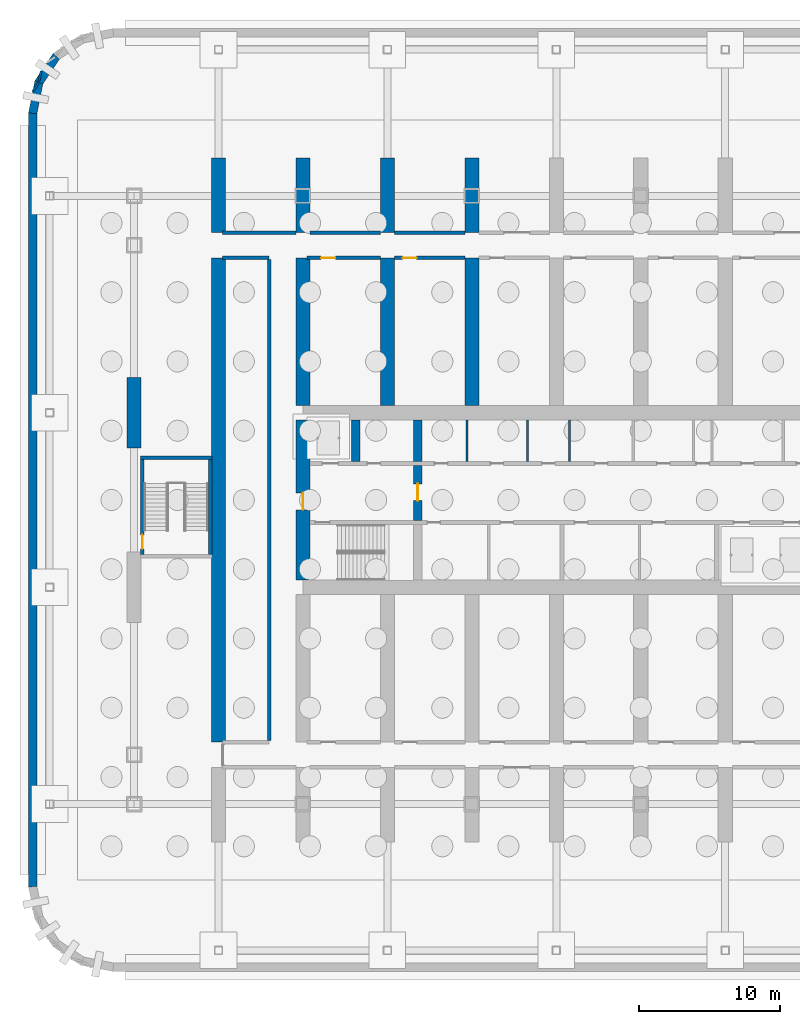
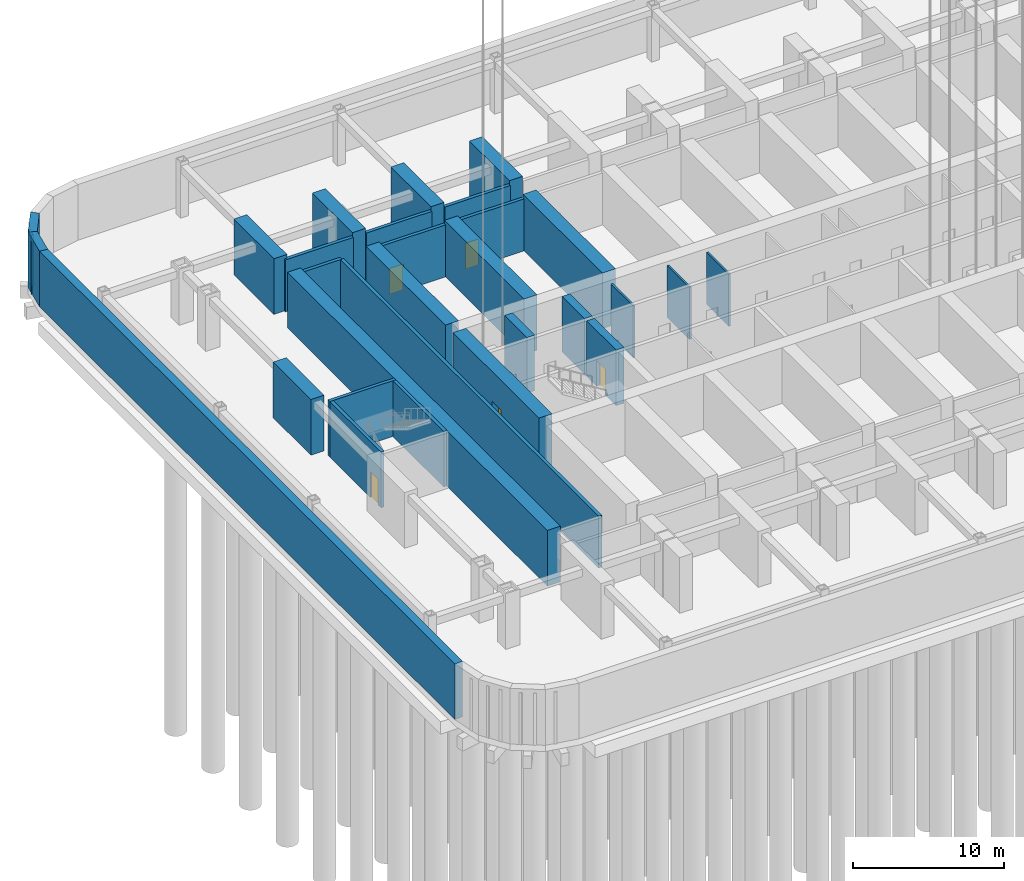
# One storey, part 5 of 28: 31 walls, 5 doors, 5 openings.
"""IFC4 building model written with IfcOpenShell, lengths in metres."""

import ifcopenshell
import ifcopenshell.guid

model = None  # the IFC model being written
_history = None  # IfcOwnerHistory: only IFC2X3 demands one
_inside = {}  # id of a spatial element -> (the spatial element, [elements in it])
_under = {}  # id of a project, library or spatial element -> (it, [spatial elements below it])
_declared = {}  # id of a project -> (the project, [libraries it declares])
_typed = {}  # id of a type object -> (the type object, [elements of that type])
_made_of = {}  # id of a material, layer set ... -> (it, [elements and type objects made of it])


def new_model(schema):
    """Start an empty IFC model of exactly this schema.

    Asked for "IFC4X3", IfcOpenShell would pick the latest addendum, in which some entities
    have other attributes; the version numbers below select the first issue.
    IFC2X3 requires an IfcOwnerHistory on every rooted entity: one is made here for all.
    """
    global model, _history
    if schema == "IFC4X3":
        model = ifcopenshell.file(schema_version=(4, 3, 0, 0))
    else:
        model = ifcopenshell.file(schema=schema)
    _inside.clear()
    _under.clear()
    _declared.clear()
    _typed.clear()
    _made_of.clear()
    _history = None
    if model.schema == "IFC2X3":
        org = make("IfcOrganization", Name="unknown")
        user = make(
            "IfcPersonAndOrganization",
            ThePerson=make("IfcPerson", FamilyName="unknown"),
            TheOrganization=org,
        )
        app = make(
            "IfcApplication",
            ApplicationDeveloper=org,
            Version="unknown",
            ApplicationFullName="unknown",
            ApplicationIdentifier="unknown",
        )
        _history = make(
            "IfcOwnerHistory",
            OwningUser=user,
            OwningApplication=app,
            ChangeAction="ADDED",
            CreationDate=0,
        )
    return model


def make(cls, **values):
    """One entity of the class cls with the attributes given. An attribute that is None is left unset."""
    return model.create_entity(
        cls, **{name: value for name, value in values.items() if value is not None}
    )


def rooted(cls, **values):
    """An entity with a GlobalId (a new one), such as an element, a storey or a relation."""
    return make(cls, GlobalId=ifcopenshell.guid.new(), OwnerHistory=_history, **values)


def si_unit(unit_type, name, prefix=None):
    """IfcSIUnit, for example si_unit("LENGTHUNIT", "METRE", prefix="MILLI")."""
    return make("IfcSIUnit", UnitType=unit_type, Prefix=prefix, Name=name)


def assignment(units):
    """IfcUnitAssignment: the units of a project."""
    return None if units is None else make("IfcUnitAssignment", Units=units)


def point(xyz):
    """IfcCartesianPoint."""
    return None if xyz is None else make("IfcCartesianPoint", Coordinates=xyz)


def direction(xyz):
    """IfcDirection."""
    return None if xyz is None else make("IfcDirection", DirectionRatios=xyz)


def frame(location, z_axis=None, x_axis=None):
    """IfcAxis2Placement3D, a coordinate frame: its origin and axes. An axis left out is left unset."""
    return make(
        "IfcAxis2Placement3D",
        Location=point(location),
        Axis=direction(z_axis),
        RefDirection=direction(x_axis),
    )


def frame_2d(location, x_axis=None):
    """IfcAxis2Placement2D, a coordinate frame in the plane: its origin and x axis."""
    return make(
        "IfcAxis2Placement2D", Location=point(location), RefDirection=direction(x_axis)
    )


def origin():
    """The frame at (0, 0, 0) with its axes left unset."""
    return frame((0.0, 0.0, 0.0))


def place(relative_to, where):
    """IfcLocalPlacement: puts the frame where relative to a parent placement (None: the world)."""
    return make(
        "IfcLocalPlacement", PlacementRelTo=relative_to, RelativePlacement=where
    )


def context(
    kind, dimensions, precision=None, world=None, true_north=None, identifier=None
):
    """IfcGeometricRepresentationContext, for example the 3D "Model" context."""
    return make(
        "IfcGeometricRepresentationContext",
        ContextIdentifier=identifier,
        ContextType=kind,
        CoordinateSpaceDimension=dimensions,
        Precision=precision,
        WorldCoordinateSystem=world,
        TrueNorth=true_north,
    )


def subcontext(parent, identifier, kind, view, scale=None):
    """IfcGeometricRepresentationSubContext, for example "Body" below "Model"."""
    return make(
        "IfcGeometricRepresentationSubContext",
        ContextIdentifier=identifier,
        ContextType=kind,
        ParentContext=parent,
        TargetScale=scale,
        TargetView=view,
    )


def project(units=None, contexts=None):
    """IfcProject with its units and contexts."""
    return rooted(
        "IfcProject",
        Name="project",
        RepresentationContexts=contexts,
        UnitsInContext=assignment(units),
    )


def spatial(cls, under=None, at=None, **own):
    """A site, building, storey or space (cls), placed at a placement, below another one or the project."""
    s = rooted(cls, ObjectPlacement=at, **own)
    if under is not None:
        _under.setdefault(under.id(), (under, []))[1].append(s)
    return s


def polyline(points):
    """IfcPolyline through the points."""
    return make("IfcPolyline", Points=[point(p) for p in points])


def profile(cls, at=None, kind="AREA", **sizes):
    """A parametric profile (cls). Its sizes go by their IFC names, for example OverallWidth=200.0."""
    return make(cls, ProfileType=kind, Position=at, **sizes)


def rectangle(**sizes):
    """IfcRectangleProfileDef."""
    return profile("IfcRectangleProfileDef", **sizes)


def outline(outer, holes=None, kind="AREA"):
    """IfcArbitraryClosedProfileDef: a profile drawn as a closed curve; with holes, ...WithVoids."""
    if holes is None:
        return make("IfcArbitraryClosedProfileDef", ProfileType=kind, OuterCurve=outer)
    return make(
        "IfcArbitraryProfileDefWithVoids",
        ProfileType=kind,
        OuterCurve=outer,
        InnerCurves=holes,
    )


def extrude(swept, where, along, depth):
    """IfcExtrudedAreaSolid: the profile swept, set in the frame where, extruded along a direction by depth."""
    return make(
        "IfcExtrudedAreaSolid",
        SweptArea=swept,
        Position=where,
        ExtrudedDirection=direction(along),
        Depth=depth,
    )


def shape(context_of_items, identifier, shape_type, items):
    """IfcShapeRepresentation: the items that make up one representation, for example the "Body"."""
    return make(
        "IfcShapeRepresentation",
        ContextOfItems=context_of_items,
        RepresentationIdentifier=identifier,
        RepresentationType=shape_type,
        Items=items,
    )


def material(Name=None, Category=None):
    """IfcMaterial."""
    return make("IfcMaterial", Name=Name, Category=Category)


def layer(
    of_material, thickness, ventilated=None, Name=None, Category=None, Priority=None
):
    """IfcMaterialLayer: one layer of a wall or slab, of a material (None: an air gap)."""
    return make(
        "IfcMaterialLayer",
        Material=of_material,
        LayerThickness=thickness,
        IsVentilated=ventilated,
        Name=Name,
        Category=Category,
        Priority=Priority,
    )


def layer_set(layers, Name=None):
    """IfcMaterialLayerSet."""
    return make("IfcMaterialLayerSet", MaterialLayers=layers, LayerSetName=Name)


def made_of(thing, what):
    """Note that an element or type object is made of a material, layer set ...; save() writes the relation."""
    if what is not None:
        _made_of.setdefault(what.id(), (what, []))[1].append(thing)
    return thing


def type_object(cls, material=None, **own):
    """A type object (cls), such as IfcWallType, which elements share."""
    return made_of(rooted(cls, **own), material)


def element(
    cls,
    number,
    at=None,
    inside=None,
    cuts=None,
    type_object=None,
    material=None,
    context=None,
    identifier="Body",
    shape_type=None,
    held_by="IfcProductDefinitionShape",
    body=None,
    shapes=None,
    **own,
):
    """One element of the class cls, such as IfcWall. Its Tag is "e" and its number.

    at: its placement. inside: the storey or other place that contains it. cuts: it is an
    opening in that element (IfcRelVoidsElement). A single representation is given by context,
    identifier, shape_type and body (its items); several are given by shapes. held_by: the class
    of the entity that holds the representations. save() writes the other relations.
    """
    e = rooted(cls, Tag="e%d" % number, ObjectPlacement=at, **own)
    if body is not None:
        shapes = [shape(context, identifier, shape_type, body)]
    if shapes is not None:
        e.Representation = make(held_by, Representations=shapes)
    if inside is not None:
        _inside.setdefault(inside.id(), (inside, []))[1].append(e)
    if cuts is not None:
        rooted(
            "IfcRelVoidsElement", RelatingBuildingElement=cuts, RelatedOpeningElement=e
        )
    if type_object is not None:
        _typed.setdefault(type_object.id(), (type_object, []))[1].append(e)
    return made_of(e, material)


def fill(opening, filler):
    """IfcRelFillsElement: the door or window that sits in an opening."""
    return rooted(
        "IfcRelFillsElement",
        RelatingOpeningElement=opening,
        RelatedBuildingElement=filler,
    )


def aggregate(whole, parts):
    """IfcRelAggregates: a whole, such as a stair, and the parts it consists of."""
    return rooted("IfcRelAggregates", RelatingObject=whole, RelatedObjects=parts)


def save(model, path):
    """Write the relations noted so far, then the file.

    IfcRelAggregates (storeys below a building ...), IfcRelContainedInSpatialStructure (elements
    in a storey), IfcRelDefinesByType, IfcRelAssociatesMaterial and IfcRelDeclares: one each for
    every whole, place, type object, material and project.
    """
    for whole, parts in _under.values():
        aggregate(whole, parts)
    for where, things in _inside.values():
        rooted(
            "IfcRelContainedInSpatialStructure",
            RelatedElements=things,
            RelatingStructure=where,
        )
    for kind, things in _typed.values():
        rooted("IfcRelDefinesByType", RelatedObjects=things, RelatingType=kind)
    for what, things in _made_of.values():
        rooted("IfcRelAssociatesMaterial", RelatedObjects=things, RelatingMaterial=what)
    for by, libraries in _declared.values():
        rooted("IfcRelDeclares", RelatingContext=by, RelatedDefinitions=libraries)
    model.write(path)


model = new_model("IFC4")

# Units and contexts
model_context = context("Model", 3, precision=1e-05, world=origin(), true_north=direction((0.0, 1.0)))
body_context = subcontext(model_context, "Body", "Model", "MODEL_VIEW")
ifc_project = project(units=[si_unit("LENGTHUNIT", "METRE"), si_unit("AREAUNIT", "SQUARE_METRE"), si_unit("VOLUMEUNIT", "CUBIC_METRE"), si_unit("PLANEANGLEUNIT", "RADIAN"), si_unit("MASSUNIT", "GRAM", prefix="KILO")], contexts=[model_context])

# Site, building, storey
site_placement = place(None, origin())
site = spatial("IfcSite", under=ifc_project, at=site_placement, CompositionType="ELEMENT")
building_placement = place(site_placement, origin())
building = spatial("IfcBuilding", under=site, at=building_placement, Name="Orbita Commons", CompositionType="ELEMENT")
storey_placement = place(building_placement, frame((0.0, 0.0, -9.0)))
storey = spatial("IfcBuildingStorey", under=building, at=storey_placement, Name="L-02", CompositionType="ELEMENT", Elevation=-9.0)

# Walls
ifc_material_1 = material(Name="Concrete blockwork", Category="masonry")
ifc_layer_1 = layer(ifc_material_1, 0.25)
ifc_layer_set_1 = layer_set([ifc_layer_1], Name="Concrete blockwork")
wall_type_1 = type_object("IfcWallType", Name="Basement wall 250 blockwork", PredefinedType="SOLIDWALL", material=ifc_layer_set_1)
wall_1_placement = place(storey_placement, frame((12.300048828125, 51.0, 0.0), z_axis=(0.0, 0.0, 1.0), x_axis=(1.0, 0.0, 0.0)))
element("IfcWall", 1, at=wall_1_placement, inside=storey, type_object=wall_type_1, Name="Basement wall 250 blockwork L-02", PredefinedType="SOLIDWALL", context=body_context, shape_type="SweptSolid", body=[
    extrude(rectangle(XDim=5.199951171875, YDim=0.25, at=frame_2d((2.60009765625, 0.0))), origin(), (0.0, 0.0, 1.0), 4.199951171875),
])
for number, where, z_axis, x_axis, name in (
    (2, (18.5, 51.0, 0.0), (0.0, 0.0, 1.0), (1.0, 0.0, 0.0), "Basement wall 250 blockwork L-02"),
    (3, (24.5, 51.0, 0.0), (0.0, 0.0, 1.0), (1.0, 0.0, 0.0), "Basement wall 250 blockwork L-02"),
):
    element("IfcWall", number, at=place(storey_placement, frame(where, z_axis=z_axis, x_axis=x_axis)), inside=storey, type_object=wall_type_1, Name=name, PredefinedType="SOLIDWALL", context=body_context, shape_type="SweptSolid", body=[
        extrude(rectangle(XDim=5.0, YDim=0.25, at=frame_2d((2.5, 0.0))), origin(), (0.0, 0.0, 1.0), 4.199951171875),
    ])
wall_2_placement = place(storey_placement, frame((12.300048828125, 49.199951171875, 0.0), z_axis=(0.0, 0.0, 1.0), x_axis=(1.0, 0.0, 0.0)))
element("IfcWall", 4, at=wall_2_placement, inside=storey, type_object=wall_type_1, Name="Basement wall 250 blockwork L-02", PredefinedType="SOLIDWALL", context=body_context, shape_type="SweptSolid", body=[
    extrude(rectangle(XDim=3.300048828125, YDim=0.25, at=frame_2d((1.64990234375, 0.0))), origin(), (0.0, 0.0, 1.0), 4.199951171875),
])
wall_3_placement = place(storey_placement, frame((15.60009765625, 14.89990234375, 0.0), z_axis=(0.0, 0.0, 1.0), x_axis=(0.0, 1.0, 0.0)))
element("IfcWall", 5, at=wall_3_placement, inside=storey, type_object=wall_type_1, Name="Basement wall 250 blockwork L-02", PredefinedType="SOLIDWALL", context=body_context, shape_type="SweptSolid", body=[
    extrude(rectangle(XDim=34.2001953125, YDim=0.25, at=frame_2d((17.10009765625, 0.0))), origin(), (0.0, 0.0, 1.0), 4.199951171875),
])

# Wall, opening, door
wall_4_placement = place(storey_placement, frame((18.300048828125, 49.199951171875, 0.0), z_axis=(0.0, 0.0, 1.0), x_axis=(1.0, 0.0, 0.0)))
wall_4 = element("IfcWall", 6, at=wall_4_placement, inside=storey, type_object=wall_type_1, Name="Basement wall 250 blockwork L-02", PredefinedType="SOLIDWALL", context=body_context, shape_type="SweptSolid", body=[
    extrude(rectangle(XDim=5.199951171875, YDim=0.25, at=frame_2d((2.60009765625, 0.0))), origin(), (0.0, 0.0, 1.0), 4.199951171875),
])
opening_1_placement = place(wall_4_placement, frame((1.0, 0.0, 0.0)))
opening_1 = element("IfcOpeningElement", 7, at=opening_1_placement, cuts=wall_4, Name="Opening D06", PredefinedType="OPENING", context=body_context, shape_type="SweptSolid", body=[
    extrude(rectangle(XDim=1.0, YDim=2.10009765625, at=frame_2d((0.5, 1.050048828125))), frame((0.0, 0.135009765625, 0.0), z_axis=(0.0, -1.0, 0.0), x_axis=(1.0, 0.0, 0.0)), (0.0, 0.0, 1.0), 0.27001953125),
])
ifc_material_2 = material(Name="Steel-faced fire door leaf", Category="steel")
door_type_1 = type_object("IfcDoorType", Name="Corridor door 20 min 1000x2100", OperationType="SINGLE_SWING_LEFT", PredefinedType="DOOR", material=ifc_material_2)
door_1_placement = place(opening_1_placement, origin())
door_1 = element("IfcDoor", 8, at=door_1_placement, inside=storey, type_object=door_type_1, Name="Room door", OperationType="SINGLE_SWING_LEFT", OverallHeight=2.10009765625, OverallWidth=1.0, PredefinedType="DOOR", context=body_context, shape_type="SweptSolid", body=[
    extrude(rectangle(XDim=1.0, YDim=2.10009765625, at=frame_2d((0.5, 1.050048828125))), frame((0.0, 0.02490234375, 0.0), z_axis=(0.0, -1.0, 0.0), x_axis=(1.0, 0.0, 0.0)), (0.0, 0.0, 1.0), 0.050048828125),
])
fill(opening_1, door_1)

wall_5_placement = place(storey_placement, frame((24.5, 49.199951171875, 0.0), z_axis=(0.0, 0.0, 1.0), x_axis=(1.0, 0.0, 0.0)))
wall_5 = element("IfcWall", 9, at=wall_5_placement, inside=storey, type_object=wall_type_1, Name="Basement wall 250 blockwork L-02", PredefinedType="SOLIDWALL", context=body_context, shape_type="SweptSolid", body=[
    extrude(rectangle(XDim=5.0, YDim=0.25, at=frame_2d((2.5, 0.0))), origin(), (0.0, 0.0, 1.0), 4.199951171875),
])
opening_2_placement = place(wall_5_placement, frame((0.574951171875, 0.0, 0.0)))
opening_2 = element("IfcOpeningElement", 10, at=opening_2_placement, cuts=wall_5, Name="Opening D06", PredefinedType="OPENING", context=body_context, shape_type="SweptSolid", body=[
    extrude(rectangle(XDim=1.0, YDim=2.10009765625, at=frame_2d((0.5, 1.050048828125))), frame((0.0, 0.135009765625, 0.0), z_axis=(0.0, -1.0, 0.0), x_axis=(1.0, 0.0, 0.0)), (0.0, 0.0, 1.0), 0.27001953125),
])
door_2_placement = place(opening_2_placement, origin())
door_2 = element("IfcDoor", 11, at=door_2_placement, inside=storey, type_object=door_type_1, Name="Room door", OperationType="SINGLE_SWING_LEFT", OverallHeight=2.10009765625, OverallWidth=1.0, PredefinedType="DOOR", context=body_context, shape_type="SweptSolid", body=[
    extrude(rectangle(XDim=1.0, YDim=2.10009765625, at=frame_2d((0.5, 1.050048828125))), frame((0.0, 0.02490234375, 0.0), z_axis=(0.0, -1.0, 0.0), x_axis=(1.0, 0.0, 0.0)), (0.0, 0.0, 1.0), 0.050048828125),
])
fill(opening_2, door_2)

ifc_material_3 = material(Name="Concrete C50/60", Category="concrete")
ifc_layer_2 = layer(ifc_material_3, 0.60009765625)
ifc_layer_set_2 = layer_set([ifc_layer_2], Name="Concrete C50/60")
wall_type_2 = type_object("IfcWallType", Name="Core inner wall 600 C50/60", PredefinedType="SHEAR", material=ifc_layer_set_2)
wall_6_placement = place(storey_placement, frame((26.14990234375, 30.550048828125, 0.0), z_axis=(0.0, 0.0, 1.0), x_axis=(0.0, 1.0, 0.0)))
wall_6 = element("IfcWall", 12, at=wall_6_placement, inside=storey, type_object=wall_type_2, Name="Firefighting lobby wall west L-02", PredefinedType="SHEAR", context=body_context, shape_type="SweptSolid", body=[
    extrude(rectangle(XDim=3.89990234375, YDim=0.60009765625, at=frame_2d((1.949951171875, 0.0))), origin(), (0.0, 0.0, 1.0), 4.5),
])
opening_3_placement = place(wall_6_placement, frame((1.39990234375, 0.0, 0.0)))
opening_3 = element("IfcOpeningElement", 13, at=opening_3_placement, cuts=wall_6, Name="Opening D04", PredefinedType="OPENING", context=body_context, shape_type="SweptSolid", body=[
    extrude(rectangle(XDim=1.199951171875, YDim=2.10009765625, at=frame_2d((0.60009765625, 1.050048828125))), frame((0.0, 0.31005859375, 0.0), z_axis=(0.0, -1.0, 0.0), x_axis=(1.0, 0.0, 0.0)), (0.0, 0.0, 1.0), 0.6201171875),
])
ifc_material_4 = material(Name="Steel-faced fire door leaf", Category="steel")
door_type_2 = type_object("IfcDoorType", Name="Service door 20 min 1200x2100", OperationType="SINGLE_SWING_LEFT", PredefinedType="DOOR", material=ifc_material_4)
door_3_placement = place(opening_3_placement, origin())
door_3 = element("IfcDoor", 14, at=door_3_placement, inside=storey, type_object=door_type_2, Name="Lift lobby door west", OperationType="SINGLE_SWING_LEFT", OverallHeight=2.10009765625, OverallWidth=1.199951171875, PredefinedType="DOOR", context=body_context, shape_type="SweptSolid", body=[
    extrude(rectangle(XDim=1.199951171875, YDim=2.10009765625, at=frame_2d((0.60009765625, 1.050048828125))), frame((0.0, 0.02490234375, 0.0), z_axis=(0.0, -1.0, 0.0), x_axis=(1.0, 0.0, 0.0)), (0.0, 0.0, 1.0), 0.050048828125),
])
fill(opening_3, door_3)

# Walls
for number, where, z_axis, x_axis, name in (
    (15, (21.75, 34.75, 0.0), (0.0, 0.0, 1.0), (0.0, 1.0, 0.0), "Firefighting lift FL1 shaft wall L-02"),
    (16, (26.14990234375, 34.75, 0.0), (0.0, 0.0, 1.0), (0.0, 1.0, 0.0), "Riser wall west L-02"),
):
    element("IfcWall", number, at=place(storey_placement, frame(where, z_axis=z_axis, x_axis=x_axis)), inside=storey, type_object=wall_type_2, Name=name, PredefinedType="SHEAR", context=body_context, shape_type="SweptSolid", body=[
        extrude(rectangle(XDim=2.949951171875, YDim=0.60009765625, at=frame_2d((1.47509765625, 0.0))), origin(), (0.0, 0.0, 1.0), 4.5),
    ])
ifc_material_5 = material(Name="Concrete blockwork", Category="masonry")
ifc_layer_3 = layer(ifc_material_5, 0.14990234375)
ifc_layer_set_3 = layer_set([ifc_layer_3], Name="Concrete blockwork")
wall_type_3 = type_object("IfcWallType", Name="Core partition 150 blockwork", PredefinedType="SOLIDWALL", material=ifc_layer_set_3)
for number, where, z_axis, x_axis, name in (
    (17, (29.65087890625, 34.75, 0.0), (0.0, 0.0, 1.0), (0.0, 1.0, 0.0), "Core partition 150 blockwork L-02"),
    (18, (33.9462890625, 34.75, 0.0), (0.0, 0.0, 1.0), (0.0, 1.0, 0.0), "Core partition 150 blockwork L-02"),
    (19, (36.9462890625, 34.75, 0.0), (0.0, 0.0, 1.0), (0.0, 1.0, 0.0), "Core partition 150 blockwork L-02"),
):
    element("IfcWall", number, at=place(storey_placement, frame(where, z_axis=z_axis, x_axis=x_axis)), inside=storey, type_object=wall_type_3, Name=name, PredefinedType="SOLIDWALL", context=body_context, shape_type="SweptSolid", body=[
        extrude(rectangle(XDim=2.949951171875, YDim=0.14990234375, at=frame_2d((1.47509765625, 0.0))), origin(), (0.0, 0.0, 1.0), 4.199951171875),
    ])

# Wall, opening, door
ifc_material_6 = material(Name="Concrete C50/60", Category="concrete")
ifc_layer_4 = layer(ifc_material_6, 1.0)
ifc_layer_set_4 = layer_set([ifc_layer_4], Name="Concrete C50/60")
wall_type_4 = type_object("IfcWallType", Name="Core wall 1000 C50/60", PredefinedType="SHEAR", material=ifc_layer_set_4)
wall_7_placement = place(storey_placement, frame((18.0, 26.300048828125, 0.0), z_axis=(0.0, 0.0, 1.0), x_axis=(0.0, 1.0, 0.0)))
wall_7 = element("IfcWall", 20, at=wall_7_placement, inside=storey, type_object=wall_type_4, Name="Core end wall west L-02", PredefinedType="SHEAR", context=body_context, shape_type="SweptSolid", body=[
    extrude(rectangle(XDim=11.39990234375, YDim=1.0, at=frame_2d((5.699951171875, 0.0))), origin(), (0.0, 0.0, 1.0), 4.5),
])
opening_4_placement = place(wall_7_placement, frame((5.0, 0.0, 0.0)))
opening_4 = element("IfcOpeningElement", 21, at=opening_4_placement, cuts=wall_7, Name="Opening D01", PredefinedType="OPENING", context=body_context, shape_type="SweptSolid", body=[
    extrude(rectangle(XDim=1.199951171875, YDim=2.10009765625, at=frame_2d((0.60009765625, 1.050048828125))), frame((0.0, 0.510009765625, 0.0), z_axis=(0.0, -1.0, 0.0), x_axis=(1.0, 0.0, 0.0)), (0.0, 0.0, 1.0), 1.02001953125),
])
ifc_material_7 = material(Name="Steel-faced fire door leaf", Category="steel")
door_type_3 = type_object("IfcDoorType", Name="Fire door 90 min 1200x2100", OperationType="SINGLE_SWING_LEFT", PredefinedType="DOOR", material=ifc_material_7)
door_4_placement = place(opening_4_placement, origin())
door_4 = element("IfcDoor", 22, at=door_4_placement, inside=storey, type_object=door_type_3, Name="Firefighting lobby west door", OperationType="SINGLE_SWING_LEFT", OverallHeight=2.10009765625, OverallWidth=1.199951171875, PredefinedType="DOOR", context=body_context, shape_type="SweptSolid", body=[
    extrude(rectangle(XDim=1.199951171875, YDim=2.10009765625, at=frame_2d((0.60009765625, 1.050048828125))), frame((0.0, 0.02490234375, 0.0), z_axis=(0.0, -1.0, 0.0), x_axis=(1.0, 0.0, 0.0)), (0.0, 0.0, 1.0), 0.050048828125),
])
fill(opening_4, door_4)

# Walls
ifc_material_8 = material(Name="Concrete C50/60", Category="concrete")
ifc_layer_5 = layer(ifc_material_8, 1.0)
ifc_layer_set_5 = layer_set([ifc_layer_5], Name="Concrete C50/60")
wall_type_5 = type_object("IfcWallType", Name="Cross wall 1000 C50/60", PredefinedType="SHEAR", material=ifc_layer_set_5)
wall_8_placement = place(storey_placement, frame((12.0, 51.0, 0.0), z_axis=(0.0, 0.0, 1.0), x_axis=(0.0, 1.0, 0.0)))
element("IfcWall", 23, at=wall_8_placement, inside=storey, type_object=wall_type_5, Name="Cross wall 3 north outer L-02", PredefinedType="SHEAR", context=body_context, shape_type="SweptSolid", body=[
    extrude(rectangle(XDim=5.300048828125, YDim=1.0, at=frame_2d((2.64990234375, 0.0))), origin(), (0.0, 0.0, 1.0), 4.5),
])
wall_9_placement = place(storey_placement, frame((12.0, 14.800048828125, 0.0), z_axis=(0.0, 0.0, 1.0), x_axis=(0.0, 1.0, 0.0)))
element("IfcWall", 24, at=wall_9_placement, inside=storey, type_object=wall_type_5, Name="Cross wall 3 inner L-02", PredefinedType="SHEAR", context=body_context, shape_type="SweptSolid", body=[
    extrude(rectangle(XDim=34.39990234375, YDim=1.0, at=frame_2d((17.199951171875, 0.0))), origin(), (0.0, 0.0, 1.0), 4.5),
])
wall_10_placement = place(storey_placement, frame((18.0, 51.0, 0.0), z_axis=(0.0, 0.0, 1.0), x_axis=(0.0, 1.0, 0.0)))
element("IfcWall", 25, at=wall_10_placement, inside=storey, type_object=wall_type_5, Name="Cross wall 4 north outer L-02", PredefinedType="SHEAR", context=body_context, shape_type="SweptSolid", body=[
    extrude(rectangle(XDim=5.300048828125, YDim=1.0, at=frame_2d((2.64990234375, 0.0))), origin(), (0.0, 0.0, 1.0), 4.5),
])
wall_11_placement = place(storey_placement, frame((18.0, 38.699951171875, 0.0), z_axis=(0.0, 0.0, 1.0), x_axis=(0.0, 1.0, 0.0)))
element("IfcWall", 26, at=wall_11_placement, inside=storey, type_object=wall_type_5, Name="Cross wall 4 north inner L-02", PredefinedType="SHEAR", context=body_context, shape_type="SweptSolid", body=[
    extrude(rectangle(XDim=10.5, YDim=1.0, at=frame_2d((5.25, 0.0))), origin(), (0.0, 0.0, 1.0), 4.5),
])
wall_12_placement = place(storey_placement, frame((24.0, 51.0, 0.0), z_axis=(0.0, 0.0, 1.0), x_axis=(0.0, 1.0, 0.0)))
element("IfcWall", 27, at=wall_12_placement, inside=storey, type_object=wall_type_5, Name="Cross wall 5 north outer L-02", PredefinedType="SHEAR", context=body_context, shape_type="SweptSolid", body=[
    extrude(rectangle(XDim=5.300048828125, YDim=1.0, at=frame_2d((2.64990234375, 0.0))), origin(), (0.0, 0.0, 1.0), 4.5),
])
wall_13_placement = place(storey_placement, frame((24.0, 38.699951171875, 0.0), z_axis=(0.0, 0.0, 1.0), x_axis=(0.0, 1.0, 0.0)))
element("IfcWall", 28, at=wall_13_placement, inside=storey, type_object=wall_type_5, Name="Cross wall 5 north inner L-02", PredefinedType="SHEAR", context=body_context, shape_type="SweptSolid", body=[
    extrude(rectangle(XDim=10.5, YDim=1.0, at=frame_2d((5.25, 0.0))), origin(), (0.0, 0.0, 1.0), 4.5),
])
wall_14_placement = place(storey_placement, frame((30.0, 51.0, 0.0), z_axis=(0.0, 0.0, 1.0), x_axis=(0.0, 1.0, 0.0)))
element("IfcWall", 29, at=wall_14_placement, inside=storey, type_object=wall_type_5, Name="Cross wall 6 north outer L-02", PredefinedType="SHEAR", context=body_context, shape_type="SweptSolid", body=[
    extrude(rectangle(XDim=5.300048828125, YDim=1.0, at=frame_2d((2.64990234375, 0.0))), origin(), (0.0, 0.0, 1.0), 4.5),
])
wall_15_placement = place(storey_placement, frame((30.0, 38.699951171875, 0.0), z_axis=(0.0, 0.0, 1.0), x_axis=(0.0, 1.0, 0.0)))
element("IfcWall", 30, at=wall_15_placement, inside=storey, type_object=wall_type_5, Name="Cross wall 6 north inner L-02", PredefinedType="SHEAR", context=body_context, shape_type="SweptSolid", body=[
    extrude(rectangle(XDim=10.5, YDim=1.0, at=frame_2d((5.25, 0.0))), origin(), (0.0, 0.0, 1.0), 4.5),
])
ifc_material_9 = material(Name="Concrete C50/60", Category="concrete")
ifc_layer_6 = layer(ifc_material_9, 1.0)
ifc_layer_set_6 = layer_set([ifc_layer_6], Name="Concrete C50/60")
wall_type_6 = type_object("IfcWallType", Name="End pier 1000x5000 C50/60", PredefinedType="SHEAR", material=ifc_layer_set_6)
wall_16_placement = place(storey_placement, frame((6.0, 35.699951171875, 0.0), z_axis=(0.0, 0.0, 1.0), x_axis=(0.0, 1.0, 0.0)))
element("IfcWall", 31, at=wall_16_placement, inside=storey, type_object=wall_type_6, Name="End pier 2/D L-02", PredefinedType="SHEAR", context=body_context, shape_type="SweptSolid", body=[
    extrude(rectangle(XDim=5.0, YDim=1.0, at=frame_2d((2.5, 0.0))), origin(), (0.0, 0.0, 1.0), 4.5),
])
ifc_material_10 = material(Name="Gypsum plasterboard on steel studs", Category="steel")
ifc_layer_7 = layer(ifc_material_10, 0.14990234375)
ifc_layer_set_7 = layer_set([ifc_layer_7], Name="Gypsum plasterboard on steel studs")
wall_type_7 = type_object("IfcWallType", Name="Partition 150 plasterboard", PredefinedType="PARTITIONING", material=ifc_layer_set_7)
wall_17_placement = place(storey_placement, frame((-0.816162109375, 61.595947265625, 0.0), z_axis=(0.0, 0.0, 1.0), x_axis=(-0.555500141576, -0.831516441635, 0.0)))
element("IfcWall", 32, at=wall_17_placement, inside=storey, type_object=wall_type_7, Name="Partition 150 plasterboard L-02", PredefinedType="PARTITIONING", context=body_context, shape_type="SweptSolid", body=[
    extrude(rectangle(XDim=0.7041015625, YDim=0.14990234375, at=frame_2d((0.35205078125, 0.0))), origin(), (0.0, 0.0, 1.0), 4.199951171875),
])
wall_18_placement = place(storey_placement, frame((-0.7412109375, 61.777099609375, 0.0), z_axis=(0.0, 0.0, 1.0), x_axis=(0.195249055569, 0.980753692983, 0.0)))
element("IfcWall", 33, at=wall_18_placement, inside=storey, type_object=wall_type_7, Name="Partition 150 plasterboard L-02", PredefinedType="PARTITIONING", context=body_context, shape_type="SweptSolid", body=[
    extrude(rectangle(XDim=0.703857421875, YDim=0.14990234375, at=frame_2d((0.35205078125, 0.0))), origin(), (0.0, 0.0, 1.0), 4.199951171875),
])
ifc_material_11 = material(Name="Concrete C50/60", Category="concrete")
ifc_layer_8 = layer(ifc_material_11, 0.25)
ifc_layer_set_8 = layer_set([ifc_layer_8], Name="Concrete C50/60")
wall_type_8 = type_object("IfcWallType", Name="Podium stair wall 250 RC", PredefinedType="SHEAR", material=ifc_layer_set_8)
wall_19_placement = place(storey_placement, frame((11.39990234375, 28.125, 0.0), z_axis=(0.0, 0.0, 1.0), x_axis=(0.0, 1.0, 0.0)))
element("IfcWall", 34, at=wall_19_placement, inside=storey, type_object=wall_type_8, Name="Podium stair PS1 wall e L-02", PredefinedType="SHEAR", context=body_context, shape_type="SweptSolid", body=[
    extrude(rectangle(XDim=6.75, YDim=0.25, at=frame_2d((3.375, 0.0))), origin(), (0.0, 0.0, 1.0), 4.5),
])
wall_20_placement = place(storey_placement, frame((11.52490234375, 35.0, 0.0), z_axis=(0.0, 0.0, 1.0), x_axis=(-1.0, 0.0, 0.0)))
element("IfcWall", 35, at=wall_20_placement, inside=storey, type_object=wall_type_8, Name="Podium stair PS1 wall n L-02", PredefinedType="SHEAR", context=body_context, shape_type="SweptSolid", body=[
    extrude(rectangle(XDim=5.0498046875, YDim=0.25, at=frame_2d((2.52490234375, 0.0))), origin(), (0.0, 0.0, 1.0), 4.5),
])

# Wall, opening, door
wall_21_placement = place(storey_placement, frame((6.60009765625, 34.875, 0.0), z_axis=(0.0, 0.0, 1.0), x_axis=(0.0, -1.0, 0.0)))
wall_21 = element("IfcWall", 36, at=wall_21_placement, inside=storey, type_object=wall_type_8, Name="Podium stair PS1 wall w L-02", PredefinedType="SHEAR", context=body_context, shape_type="SweptSolid", body=[
    extrude(rectangle(XDim=6.75, YDim=0.25, at=frame_2d((3.375, 0.0))), origin(), (0.0, 0.0, 1.0), 4.5),
])
opening_5_placement = place(wall_21_placement, frame((5.35009765625, 0.0, 0.0)))
opening_5 = element("IfcOpeningElement", 37, at=opening_5_placement, cuts=wall_21, Name="Opening D02", PredefinedType="OPENING", context=body_context, shape_type="SweptSolid", body=[
    extrude(rectangle(XDim=1.0, YDim=2.10009765625, at=frame_2d((0.5, 1.050048828125))), frame((0.0, 0.135009765625, 0.0), z_axis=(0.0, -1.0, 0.0), x_axis=(1.0, 0.0, 0.0)), (0.0, 0.0, 1.0), 0.27001953125),
])
ifc_material_12 = material(Name="Steel-faced fire door leaf", Category="steel")
door_type_4 = type_object("IfcDoorType", Name="Fire door 90 min 1000x2100", OperationType="SINGLE_SWING_LEFT", PredefinedType="DOOR", material=ifc_material_12)
door_5_placement = place(opening_5_placement, origin())
door_5 = element("IfcDoor", 38, at=door_5_placement, inside=storey, type_object=door_type_4, Name="Podium exit stair PS1 door", OperationType="SINGLE_SWING_LEFT", OverallHeight=2.10009765625, OverallWidth=1.0, PredefinedType="DOOR", context=body_context, shape_type="SweptSolid", body=[
    extrude(rectangle(XDim=1.0, YDim=2.10009765625, at=frame_2d((0.5, 1.050048828125))), frame((0.0, 0.02490234375, 0.0), z_axis=(0.0, -1.0, 0.0), x_axis=(1.0, 0.0, 0.0)), (0.0, 0.0, 1.0), 0.050048828125),
])
fill(opening_5, door_5)

# Walls
ifc_material_13 = material(Name="Concrete C50/60", Category="concrete")
ifc_layer_9 = layer(ifc_material_13, 0.60009765625)
ifc_layer_set_9 = layer_set([ifc_layer_9], Name="Concrete C50/60")
wall_type_9 = type_object("IfcWallType", Name="Retaining wall 600 C50/60", PredefinedType="SOLIDWALL", material=ifc_layer_set_9)
wall_22_placement = place(storey_placement, frame((0.4736328125, 63.5263671875, 0.0), z_axis=(0.0, 0.0, 1.0), x_axis=(-0.555562047437, -0.831475081676, 0.0)))
element("IfcWall", 39, at=wall_22_placement, inside=storey, type_object=wall_type_9, Name="Basement retaining wall L-02 13", PredefinedType="SOLIDWALL", context=body_context, shape_type="SweptSolid", body=[
    extrude(outline(polyline([(-0.0595703125, -0.300048828125), (2.281494140625, -0.300048828125), (2.162353515625, 0.300048828125), (0.0595703125, 0.300048828125), (-0.0595703125, -0.300048828125)])), origin(), (0.0, 0.0, 1.0), 4.5),
])
wall_23_placement = place(storey_placement, frame((-0.7607421875, 61.678955078125, 0.0), z_axis=(0.0, 0.0, 1.0), x_axis=(-0.195052642224, -0.980792774628, 0.0)))
element("IfcWall", 40, at=wall_23_placement, inside=storey, type_object=wall_type_9, Name="Basement retaining wall L-02 14", PredefinedType="SOLIDWALL", context=body_context, shape_type="SweptSolid", body=[
    extrude(outline(polyline([(-0.0595703125, -0.300048828125), (2.28125, -0.300048828125), (2.22216796875, 0.300048828125), (0.0595703125, 0.300048828125), (-0.0595703125, -0.300048828125)])), origin(), (0.0, 0.0, 1.0), 4.5),
])
wall_24_placement = place(storey_placement, frame((-1.199951171875, 59.470458984375, 0.0), z_axis=(0.0, 0.0, 1.0), x_axis=(0.0, -1.0, 0.0)))
element("IfcWall", 41, at=wall_24_placement, inside=storey, type_object=wall_type_9, Name="Basement retaining wall L-02 15", PredefinedType="SOLIDWALL", context=body_context, shape_type="SweptSolid", body=[
    extrude(outline(polyline([(-0.029541015625, -0.300048828125), (54.970458984375, -0.300048828125), (54.911376953125, 0.300048828125), (0.029541015625, 0.300048828125), (-0.029541015625, -0.300048828125)])), origin(), (0.0, 0.0, 1.0), 4.5),
])

save(model, "model.ifc")
